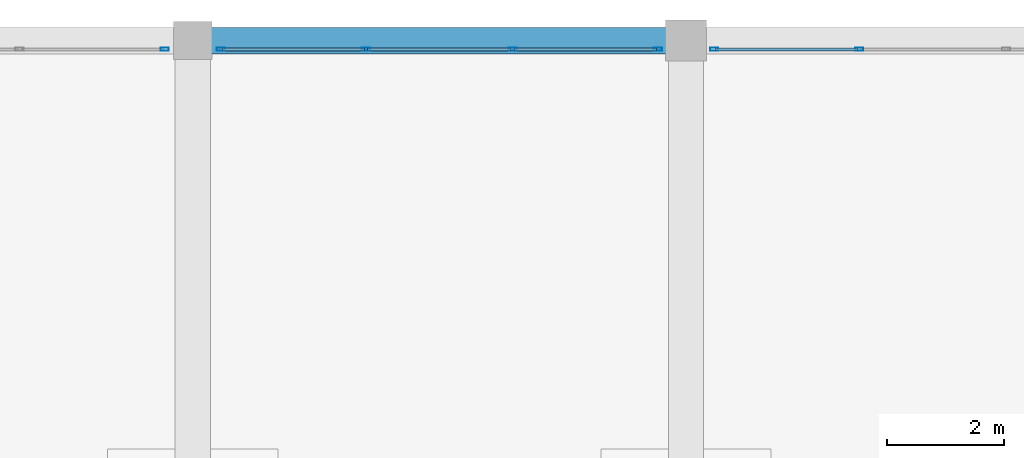
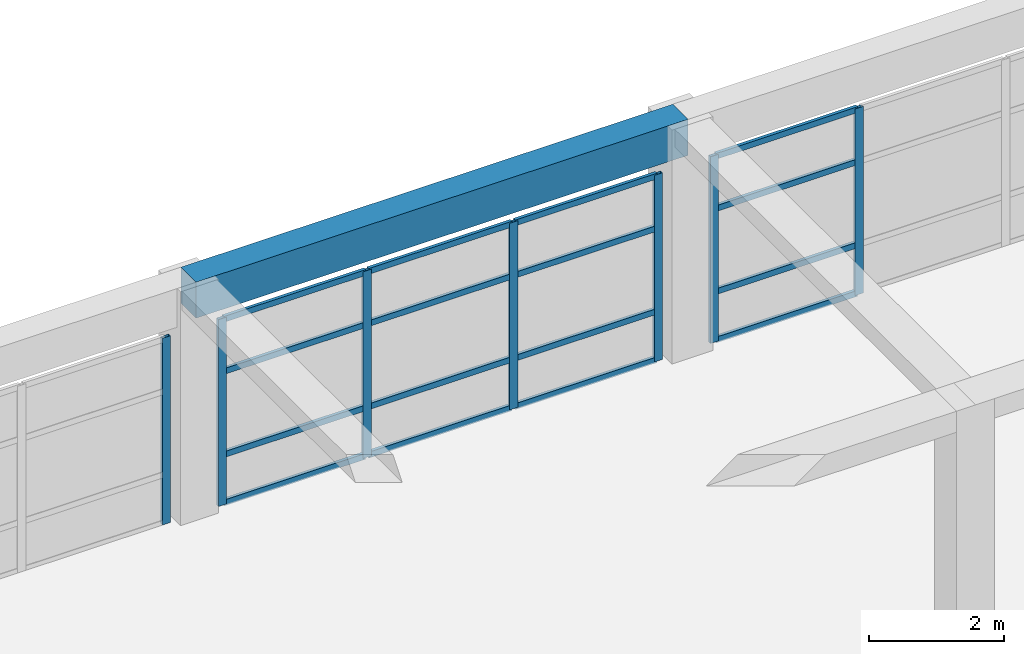
# One storey, part 62 of 85: 23 members, 1 beam, 3 elements without a shape of their own.
"""IFC4 building model written with IfcOpenShell, lengths in metres."""

import ifcopenshell
import ifcopenshell.guid

model = None  # the IFC model being written
_history = None  # IfcOwnerHistory: only IFC2X3 demands one
_inside = {}  # id of a spatial element -> (the spatial element, [elements in it])
_under = {}  # id of a project, library or spatial element -> (it, [spatial elements below it])
_declared = {}  # id of a project -> (the project, [libraries it declares])
_typed = {}  # id of a type object -> (the type object, [elements of that type])
_made_of = {}  # id of a material, layer set ... -> (it, [elements and type objects made of it])


def new_model(schema):
    """Start an empty IFC model of exactly this schema.

    Asked for "IFC4X3", IfcOpenShell would pick the latest addendum, in which some entities
    have other attributes; the version numbers below select the first issue.
    IFC2X3 requires an IfcOwnerHistory on every rooted entity: one is made here for all.
    """
    global model, _history
    if schema == "IFC4X3":
        model = ifcopenshell.file(schema_version=(4, 3, 0, 0))
    else:
        model = ifcopenshell.file(schema=schema)
    _inside.clear()
    _under.clear()
    _declared.clear()
    _typed.clear()
    _made_of.clear()
    _history = None
    if model.schema == "IFC2X3":
        org = make("IfcOrganization", Name="unknown")
        user = make(
            "IfcPersonAndOrganization",
            ThePerson=make("IfcPerson", FamilyName="unknown"),
            TheOrganization=org,
        )
        app = make(
            "IfcApplication",
            ApplicationDeveloper=org,
            Version="unknown",
            ApplicationFullName="unknown",
            ApplicationIdentifier="unknown",
        )
        _history = make(
            "IfcOwnerHistory",
            OwningUser=user,
            OwningApplication=app,
            ChangeAction="ADDED",
            CreationDate=0,
        )
    return model


def make(cls, **values):
    """One entity of the class cls with the attributes given. An attribute that is None is left unset."""
    return model.create_entity(
        cls, **{name: value for name, value in values.items() if value is not None}
    )


def rooted(cls, **values):
    """An entity with a GlobalId (a new one), such as an element, a storey or a relation."""
    return make(cls, GlobalId=ifcopenshell.guid.new(), OwnerHistory=_history, **values)


def si_unit(unit_type, name, prefix=None):
    """IfcSIUnit, for example si_unit("LENGTHUNIT", "METRE", prefix="MILLI")."""
    return make("IfcSIUnit", UnitType=unit_type, Prefix=prefix, Name=name)


def assignment(units):
    """IfcUnitAssignment: the units of a project."""
    return None if units is None else make("IfcUnitAssignment", Units=units)


def point(xyz):
    """IfcCartesianPoint."""
    return None if xyz is None else make("IfcCartesianPoint", Coordinates=xyz)


def direction(xyz):
    """IfcDirection."""
    return None if xyz is None else make("IfcDirection", DirectionRatios=xyz)


def frame(location, z_axis=None, x_axis=None):
    """IfcAxis2Placement3D, a coordinate frame: its origin and axes. An axis left out is left unset."""
    return make(
        "IfcAxis2Placement3D",
        Location=point(location),
        Axis=direction(z_axis),
        RefDirection=direction(x_axis),
    )


def frame_2d(location, x_axis=None):
    """IfcAxis2Placement2D, a coordinate frame in the plane: its origin and x axis."""
    return make(
        "IfcAxis2Placement2D", Location=point(location), RefDirection=direction(x_axis)
    )


def origin():
    """The frame at (0, 0, 0) with its axes left unset."""
    return frame((0.0, 0.0, 0.0))


def origin_2d():
    """The frame at (0, 0) in the plane with its x axis left unset."""
    return frame_2d((0.0, 0.0))


def place(relative_to, where):
    """IfcLocalPlacement: puts the frame where relative to a parent placement (None: the world)."""
    return make(
        "IfcLocalPlacement", PlacementRelTo=relative_to, RelativePlacement=where
    )


def context(
    kind, dimensions, precision=None, world=None, true_north=None, identifier=None
):
    """IfcGeometricRepresentationContext, for example the 3D "Model" context."""
    return make(
        "IfcGeometricRepresentationContext",
        ContextIdentifier=identifier,
        ContextType=kind,
        CoordinateSpaceDimension=dimensions,
        Precision=precision,
        WorldCoordinateSystem=world,
        TrueNorth=true_north,
    )


def subcontext(parent, identifier, kind, view, scale=None):
    """IfcGeometricRepresentationSubContext, for example "Body" below "Model"."""
    return make(
        "IfcGeometricRepresentationSubContext",
        ContextIdentifier=identifier,
        ContextType=kind,
        ParentContext=parent,
        TargetScale=scale,
        TargetView=view,
    )


def project(units=None, contexts=None):
    """IfcProject with its units and contexts."""
    return rooted(
        "IfcProject",
        Name="project",
        RepresentationContexts=contexts,
        UnitsInContext=assignment(units),
    )


def spatial(cls, under=None, at=None, **own):
    """A site, building, storey or space (cls), placed at a placement, below another one or the project."""
    s = rooted(cls, ObjectPlacement=at, **own)
    if under is not None:
        _under.setdefault(under.id(), (under, []))[1].append(s)
    return s


def profile(cls, at=None, kind="AREA", **sizes):
    """A parametric profile (cls). Its sizes go by their IFC names, for example OverallWidth=200.0."""
    return make(cls, ProfileType=kind, Position=at, **sizes)


def rectangle(**sizes):
    """IfcRectangleProfileDef."""
    return profile("IfcRectangleProfileDef", **sizes)


def hollow_rectangle(**sizes):
    """IfcRectangleHollowProfileDef."""
    return profile("IfcRectangleHollowProfileDef", **sizes)


def extrude(swept, where, along, depth):
    """IfcExtrudedAreaSolid: the profile swept, set in the frame where, extruded along a direction by depth."""
    return make(
        "IfcExtrudedAreaSolid",
        SweptArea=swept,
        Position=where,
        ExtrudedDirection=direction(along),
        Depth=depth,
    )


def shape(context_of_items, identifier, shape_type, items):
    """IfcShapeRepresentation: the items that make up one representation, for example the "Body"."""
    return make(
        "IfcShapeRepresentation",
        ContextOfItems=context_of_items,
        RepresentationIdentifier=identifier,
        RepresentationType=shape_type,
        Items=items,
    )


def material(Name=None, Category=None):
    """IfcMaterial."""
    return make("IfcMaterial", Name=Name, Category=Category)


def material_profile(
    of_material, cross_section, Name=None, Category=None, Priority=None
):
    """IfcMaterialProfile: a cross section and its material."""
    return make(
        "IfcMaterialProfile",
        Name=Name,
        Material=of_material,
        Profile=cross_section,
        Priority=Priority,
        Category=Category,
    )


def profile_set(profiles, Name=None, composite=None):
    """IfcMaterialProfileSet."""
    return make(
        "IfcMaterialProfileSet",
        Name=Name,
        MaterialProfiles=profiles,
        CompositeProfile=composite,
    )


def made_of(thing, what):
    """Note that an element or type object is made of a material, layer set ...; save() writes the relation."""
    if what is not None:
        _made_of.setdefault(what.id(), (what, []))[1].append(thing)
    return thing


def type_object(cls, material=None, **own):
    """A type object (cls), such as IfcWallType, which elements share."""
    return made_of(rooted(cls, **own), material)


def element(
    cls,
    number,
    at=None,
    inside=None,
    cuts=None,
    type_object=None,
    material=None,
    context=None,
    identifier="Body",
    shape_type=None,
    held_by="IfcProductDefinitionShape",
    body=None,
    shapes=None,
    **own,
):
    """One element of the class cls, such as IfcWall. Its Tag is "e" and its number.

    at: its placement. inside: the storey or other place that contains it. cuts: it is an
    opening in that element (IfcRelVoidsElement). A single representation is given by context,
    identifier, shape_type and body (its items); several are given by shapes. held_by: the class
    of the entity that holds the representations. save() writes the other relations.
    """
    e = rooted(cls, Tag="e%d" % number, ObjectPlacement=at, **own)
    if body is not None:
        shapes = [shape(context, identifier, shape_type, body)]
    if shapes is not None:
        e.Representation = make(held_by, Representations=shapes)
    if inside is not None:
        _inside.setdefault(inside.id(), (inside, []))[1].append(e)
    if cuts is not None:
        rooted(
            "IfcRelVoidsElement", RelatingBuildingElement=cuts, RelatedOpeningElement=e
        )
    if type_object is not None:
        _typed.setdefault(type_object.id(), (type_object, []))[1].append(e)
    return made_of(e, material)


def aggregate(whole, parts):
    """IfcRelAggregates: a whole, such as a stair, and the parts it consists of."""
    return rooted("IfcRelAggregates", RelatingObject=whole, RelatedObjects=parts)


def save(model, path):
    """Write the relations noted so far, then the file.

    IfcRelAggregates (storeys below a building ...), IfcRelContainedInSpatialStructure (elements
    in a storey), IfcRelDefinesByType, IfcRelAssociatesMaterial and IfcRelDeclares: one each for
    every whole, place, type object, material and project.
    """
    for whole, parts in _under.values():
        aggregate(whole, parts)
    for where, things in _inside.values():
        rooted(
            "IfcRelContainedInSpatialStructure",
            RelatedElements=things,
            RelatingStructure=where,
        )
    for kind, things in _typed.values():
        rooted("IfcRelDefinesByType", RelatedObjects=things, RelatingType=kind)
    for what, things in _made_of.values():
        rooted("IfcRelAssociatesMaterial", RelatedObjects=things, RelatingMaterial=what)
    for by, libraries in _declared.values():
        rooted("IfcRelDeclares", RelatingContext=by, RelatedDefinitions=libraries)
    model.write(path)


model = new_model("IFC4")

# Units and contexts
model_context = context("Model", 3, precision=1e-05, world=origin(), true_north=direction((0.0, 1.0)))
body_context = subcontext(model_context, "Body", "Model", "MODEL_VIEW")
ifc_project = project(units=[si_unit("LENGTHUNIT", "METRE"), si_unit("AREAUNIT", "SQUARE_METRE"), si_unit("VOLUMEUNIT", "CUBIC_METRE"), si_unit("PLANEANGLEUNIT", "RADIAN"), si_unit("MASSUNIT", "GRAM", prefix="KILO")], contexts=[model_context])

# Site, building, storey
site_placement = place(None, origin())
site = spatial("IfcSite", under=ifc_project, at=site_placement, CompositionType="ELEMENT")
building_placement = place(site_placement, origin())
building = spatial("IfcBuilding", under=site, at=building_placement, Name="Almacenes y Pasaje Nevantli", CompositionType="ELEMENT")
storey_placement = place(building_placement, frame((0.0, 0.0, 22.199951171875)))
storey = spatial("IfcBuildingStorey", under=building, at=storey_placement, Name="L05", CompositionType="ELEMENT", Elevation=22.199951171875)

# Beam
ifc_material_1 = material(Name="Concrete C35/45", Category="concrete")
ifc_material_profile_1 = material_profile(ifc_material_1, rectangle(XDim=0.449951171875, YDim=0.64990234375, at=origin_2d()), Name="RC-BM-450x650")
ifc_profile_set_1 = profile_set([ifc_material_profile_1], Name="Concrete C35/45")
beam_type = type_object("IfcBeamType", Name="BM-RC-450x650", PredefinedType="SPANDREL", material=ifc_profile_set_1)
beam_placement = place(storey_placement, frame((142.800048828125, 117.60009765625, 3.89501953125), z_axis=(1.0, 0.0, 0.0), x_axis=(0.0, 1.0, 0.0)))
element("IfcBeam", 1, at=beam_placement, inside=storey, type_object=beam_type, Name="L05 East-West Reinforced Concrete Beam #3419", PredefinedType="SPANDREL", context=body_context, shape_type="SweptSolid", body=[
    extrude(rectangle(XDim=0.449951171875, YDim=0.64990234375, at=origin_2d()), origin(), (0.0, 0.0, 1.0), 8.39990234375),
])

# Curtain wall, member
ifc_material_2 = material(Name="Thermally Broken Aluminium and Low-E Glass", Category="aluminium")
curtain_wall_type = type_object("IfcCurtainWallType", Name="CW-UNIT-PODIUM", PredefinedType="USERDEFINED", material=ifc_material_2)
curtain_wall_1_placement = place(storey_placement, origin())
curtain_wall_1 = element("IfcCurtainWall", 2, at=curtain_wall_1_placement, inside=storey, type_object=curtain_wall_type, Name="L05 Sky-Lobby North Curtain Wall Bay 17", ObjectType="UNITIZED CURTAIN WALL", PredefinedType="USERDEFINED")
ifc_material_3 = material(Name="Thermally Broken Anodized Aluminium", Category="aluminium")
ifc_material_profile_2 = material_profile(ifc_material_3, hollow_rectangle(XDim=0.054931640625, YDim=0.139892578125, WallThickness=0.00341796875, at=origin_2d()), Name="ALU-MUL-55x140")
ifc_profile_set_2 = profile_set([ifc_material_profile_2], Name="Thermally Broken Anodized Aluminium")
member_type_1 = type_object("IfcMemberType", Name="CW-MUL-160", PredefinedType="MULLION", material=ifc_profile_set_2)
member_1_placement = place(storey_placement, frame((142.322509765625, 117.449951171875, 0.0), z_axis=(0.0, 0.0, 1.0), x_axis=(0.0, 1.0, 0.0)))
member_1 = element("IfcMember", 3, at=member_1_placement, type_object=member_type_1, Name="CW-L05-090 mullion 4", PredefinedType="MULLION", context=body_context, shape_type="SweptSolid", body=[
    extrude(hollow_rectangle(XDim=0.054931640625, YDim=0.139892578125, WallThickness=0.00341796875, at=origin_2d()), origin(), (0.0, 0.0, 1.0), 3.3701171875),
])
aggregate(curtain_wall_1, [member_1])

# Curtain wall, members
curtain_wall_2_placement = place(storey_placement, origin())
curtain_wall_2 = element("IfcCurtainWall", 4, at=curtain_wall_2_placement, inside=storey, type_object=curtain_wall_type, Name="L05 Sky-Lobby North Curtain Wall Bay 18", ObjectType="UNITIZED CURTAIN WALL", PredefinedType="USERDEFINED")
member_2_placement = place(storey_placement, frame((143.277587890625, 117.449951171875, 0.0), z_axis=(0.0, 0.0, 1.0), x_axis=(0.0, 1.0, 0.0)))
member_2 = element("IfcMember", 5, at=member_2_placement, type_object=member_type_1, Name="CW-L05-091 mullion 1", PredefinedType="MULLION", context=body_context, shape_type="SweptSolid", body=[
    extrude(hollow_rectangle(XDim=0.054931640625, YDim=0.139892578125, WallThickness=0.00341796875, at=origin_2d()), origin(), (0.0, 0.0, 1.0), 3.3701171875),
])
member_3_placement = place(storey_placement, frame((145.75, 117.449951171875, 0.0), z_axis=(0.0, 0.0, 1.0), x_axis=(0.0, 1.0, 0.0)))
member_3 = element("IfcMember", 6, at=member_3_placement, type_object=member_type_1, Name="CW-L05-091 mullion 2", PredefinedType="MULLION", context=body_context, shape_type="SweptSolid", body=[
    extrude(hollow_rectangle(XDim=0.054931640625, YDim=0.139892578125, WallThickness=0.00341796875, at=origin_2d()), origin(), (0.0, 0.0, 1.0), 3.3701171875),
])
member_4_placement = place(storey_placement, frame((148.25, 117.449951171875, 0.0), z_axis=(0.0, 0.0, 1.0), x_axis=(0.0, 1.0, 0.0)))
member_4 = element("IfcMember", 7, at=member_4_placement, type_object=member_type_1, Name="CW-L05-091 mullion 3", PredefinedType="MULLION", context=body_context, shape_type="SweptSolid", body=[
    extrude(hollow_rectangle(XDim=0.054931640625, YDim=0.139892578125, WallThickness=0.00341796875, at=origin_2d()), origin(), (0.0, 0.0, 1.0), 3.3701171875),
])
member_5_placement = place(storey_placement, frame((150.722412109375, 117.449951171875, 0.0), z_axis=(0.0, 0.0, 1.0), x_axis=(0.0, 1.0, 0.0)))
member_5 = element("IfcMember", 8, at=member_5_placement, type_object=member_type_1, Name="CW-L05-091 mullion 4", PredefinedType="MULLION", context=body_context, shape_type="SweptSolid", body=[
    extrude(hollow_rectangle(XDim=0.054931640625, YDim=0.139892578125, WallThickness=0.00341796875, at=origin_2d()), origin(), (0.0, 0.0, 1.0), 3.3701171875),
])

curtain_wall_3_placement = place(storey_placement, origin())
curtain_wall_3 = element("IfcCurtainWall", 9, at=curtain_wall_3_placement, inside=storey, type_object=curtain_wall_type, Name="L05 Sky-Lobby North Curtain Wall Bay 19", ObjectType="UNITIZED CURTAIN WALL", PredefinedType="USERDEFINED")
member_6_placement = place(storey_placement, frame((151.677490234375, 117.449951171875, 0.0), z_axis=(0.0, 0.0, 1.0), x_axis=(0.0, 1.0, 0.0)))
member_6 = element("IfcMember", 10, at=member_6_placement, type_object=member_type_1, Name="CW-L05-092 mullion 1", PredefinedType="MULLION", context=body_context, shape_type="SweptSolid", body=[
    extrude(hollow_rectangle(XDim=0.054931640625, YDim=0.139892578125, WallThickness=0.00341796875, at=origin_2d()), origin(), (0.0, 0.0, 1.0), 3.3701171875),
])
member_7_placement = place(storey_placement, frame((154.14990234375, 117.449951171875, 0.0), z_axis=(0.0, 0.0, 1.0), x_axis=(0.0, 1.0, 0.0)))
member_7 = element("IfcMember", 11, at=member_7_placement, type_object=member_type_1, Name="CW-L05-092 mullion 2", PredefinedType="MULLION", context=body_context, shape_type="SweptSolid", body=[
    extrude(hollow_rectangle(XDim=0.054931640625, YDim=0.139892578125, WallThickness=0.00341796875, at=origin_2d()), origin(), (0.0, 0.0, 1.0), 3.3701171875),
])

# Member
ifc_material_4 = material(Name="Thermally Broken Anodized Aluminium", Category="aluminium")
ifc_material_profile_3 = material_profile(ifc_material_4, hollow_rectangle(XDim=0.054931640625, YDim=0.10498046875, WallThickness=0.003173828125, at=origin_2d()), Name="ALU-TRN-55x105")
ifc_profile_set_3 = profile_set([ifc_material_profile_3], Name="Thermally Broken Anodized Aluminium")
member_type_2 = type_object("IfcMemberType", Name="CW-TRN-120", PredefinedType="USERDEFINED", material=ifc_profile_set_3)
member_8_placement = place(storey_placement, frame((143.304931640625, 117.449951171875, 0.027587890625), z_axis=(1.0, 0.0, 0.0), x_axis=(0.0, 1.0, 0.0)))
member_8 = element("IfcMember", 12, at=member_8_placement, type_object=member_type_2, Name="CW-L05-091 transom 1.1", ObjectType="TRANSOM", PredefinedType="USERDEFINED", context=body_context, shape_type="SweptSolid", body=[
    extrude(hollow_rectangle(XDim=0.054931640625, YDim=0.10498046875, WallThickness=0.003173828125, at=origin_2d()), origin(), (0.0, 0.0, 1.0), 2.41748046875),
])

member_9_placement = place(storey_placement, frame((143.304931640625, 117.449951171875, 0.900146484375), z_axis=(1.0, 0.0, 0.0), x_axis=(0.0, 1.0, 0.0)))
member_9 = element("IfcMember", 13, at=member_9_placement, type_object=member_type_2, Name="CW-L05-091 transom 1.2", ObjectType="TRANSOM", PredefinedType="USERDEFINED", context=body_context, shape_type="SweptSolid", body=[
    extrude(hollow_rectangle(XDim=0.054931640625, YDim=0.10498046875, WallThickness=0.003173828125, at=origin_2d()), origin(), (0.0, 0.0, 1.0), 2.41748046875),
])

member_10_placement = place(storey_placement, frame((143.304931640625, 117.449951171875, 2.400146484375), z_axis=(1.0, 0.0, 0.0), x_axis=(0.0, 1.0, 0.0)))
member_10 = element("IfcMember", 14, at=member_10_placement, type_object=member_type_2, Name="CW-L05-091 transom 1.3", ObjectType="TRANSOM", PredefinedType="USERDEFINED", context=body_context, shape_type="SweptSolid", body=[
    extrude(hollow_rectangle(XDim=0.054931640625, YDim=0.10498046875, WallThickness=0.003173828125, at=origin_2d()), origin(), (0.0, 0.0, 1.0), 2.41748046875),
])

member_11_placement = place(storey_placement, frame((143.304931640625, 117.449951171875, 3.342529296875), z_axis=(1.0, 0.0, 0.0), x_axis=(0.0, 1.0, 0.0)))
member_11 = element("IfcMember", 15, at=member_11_placement, type_object=member_type_2, Name="CW-L05-091 transom 1.4", ObjectType="TRANSOM", PredefinedType="USERDEFINED", context=body_context, shape_type="SweptSolid", body=[
    extrude(hollow_rectangle(XDim=0.054931640625, YDim=0.10498046875, WallThickness=0.003173828125, at=origin_2d()), origin(), (0.0, 0.0, 1.0), 2.41748046875),
])

member_12_placement = place(storey_placement, frame((145.777587890625, 117.449951171875, 0.027587890625), z_axis=(1.0, 0.0, 0.0), x_axis=(0.0, 1.0, 0.0)))
member_12 = element("IfcMember", 16, at=member_12_placement, type_object=member_type_2, Name="CW-L05-091 transom 2.1", ObjectType="TRANSOM", PredefinedType="USERDEFINED", context=body_context, shape_type="SweptSolid", body=[
    extrude(hollow_rectangle(XDim=0.054931640625, YDim=0.10498046875, WallThickness=0.003173828125, at=origin_2d()), origin(), (0.0, 0.0, 1.0), 2.44482421875),
])

member_13_placement = place(storey_placement, frame((145.777587890625, 117.449951171875, 0.900146484375), z_axis=(1.0, 0.0, 0.0), x_axis=(0.0, 1.0, 0.0)))
member_13 = element("IfcMember", 17, at=member_13_placement, type_object=member_type_2, Name="CW-L05-091 transom 2.2", ObjectType="TRANSOM", PredefinedType="USERDEFINED", context=body_context, shape_type="SweptSolid", body=[
    extrude(hollow_rectangle(XDim=0.054931640625, YDim=0.10498046875, WallThickness=0.003173828125, at=origin_2d()), origin(), (0.0, 0.0, 1.0), 2.44482421875),
])

member_14_placement = place(storey_placement, frame((145.777587890625, 117.449951171875, 2.400146484375), z_axis=(1.0, 0.0, 0.0), x_axis=(0.0, 1.0, 0.0)))
member_14 = element("IfcMember", 18, at=member_14_placement, type_object=member_type_2, Name="CW-L05-091 transom 2.3", ObjectType="TRANSOM", PredefinedType="USERDEFINED", context=body_context, shape_type="SweptSolid", body=[
    extrude(hollow_rectangle(XDim=0.054931640625, YDim=0.10498046875, WallThickness=0.003173828125, at=origin_2d()), origin(), (0.0, 0.0, 1.0), 2.44482421875),
])

member_15_placement = place(storey_placement, frame((145.777587890625, 117.449951171875, 3.342529296875), z_axis=(1.0, 0.0, 0.0), x_axis=(0.0, 1.0, 0.0)))
member_15 = element("IfcMember", 19, at=member_15_placement, type_object=member_type_2, Name="CW-L05-091 transom 2.4", ObjectType="TRANSOM", PredefinedType="USERDEFINED", context=body_context, shape_type="SweptSolid", body=[
    extrude(hollow_rectangle(XDim=0.054931640625, YDim=0.10498046875, WallThickness=0.003173828125, at=origin_2d()), origin(), (0.0, 0.0, 1.0), 2.44482421875),
])

member_16_placement = place(storey_placement, frame((148.277587890625, 117.449951171875, 0.027587890625), z_axis=(1.0, 0.0, 0.0), x_axis=(0.0, 1.0, 0.0)))
member_16 = element("IfcMember", 20, at=member_16_placement, type_object=member_type_2, Name="CW-L05-091 transom 3.1", ObjectType="TRANSOM", PredefinedType="USERDEFINED", context=body_context, shape_type="SweptSolid", body=[
    extrude(hollow_rectangle(XDim=0.054931640625, YDim=0.10498046875, WallThickness=0.003173828125, at=origin_2d()), origin(), (0.0, 0.0, 1.0), 2.41748046875),
])

member_17_placement = place(storey_placement, frame((148.277587890625, 117.449951171875, 0.900146484375), z_axis=(1.0, 0.0, 0.0), x_axis=(0.0, 1.0, 0.0)))
member_17 = element("IfcMember", 21, at=member_17_placement, type_object=member_type_2, Name="CW-L05-091 transom 3.2", ObjectType="TRANSOM", PredefinedType="USERDEFINED", context=body_context, shape_type="SweptSolid", body=[
    extrude(hollow_rectangle(XDim=0.054931640625, YDim=0.10498046875, WallThickness=0.003173828125, at=origin_2d()), origin(), (0.0, 0.0, 1.0), 2.41748046875),
])

member_18_placement = place(storey_placement, frame((148.277587890625, 117.449951171875, 2.400146484375), z_axis=(1.0, 0.0, 0.0), x_axis=(0.0, 1.0, 0.0)))
member_18 = element("IfcMember", 22, at=member_18_placement, type_object=member_type_2, Name="CW-L05-091 transom 3.3", ObjectType="TRANSOM", PredefinedType="USERDEFINED", context=body_context, shape_type="SweptSolid", body=[
    extrude(hollow_rectangle(XDim=0.054931640625, YDim=0.10498046875, WallThickness=0.003173828125, at=origin_2d()), origin(), (0.0, 0.0, 1.0), 2.41748046875),
])

member_19_placement = place(storey_placement, frame((148.277587890625, 117.449951171875, 3.342529296875), z_axis=(1.0, 0.0, 0.0), x_axis=(0.0, 1.0, 0.0)))
member_19 = element("IfcMember", 23, at=member_19_placement, type_object=member_type_2, Name="CW-L05-091 transom 3.4", ObjectType="TRANSOM", PredefinedType="USERDEFINED", context=body_context, shape_type="SweptSolid", body=[
    extrude(hollow_rectangle(XDim=0.054931640625, YDim=0.10498046875, WallThickness=0.003173828125, at=origin_2d()), origin(), (0.0, 0.0, 1.0), 2.41748046875),
])

aggregate(curtain_wall_2, [member_2, member_3, member_4, member_5, member_8, member_9, member_10, member_11, member_12, member_13, member_14, member_15, member_16, member_17, member_18, member_19])

member_20_placement = place(storey_placement, frame((151.705078125, 117.449951171875, 0.027587890625), z_axis=(1.0, 0.0, 0.0), x_axis=(0.0, 1.0, 0.0)))
member_20 = element("IfcMember", 24, at=member_20_placement, type_object=member_type_2, Name="CW-L05-092 transom 1.1", ObjectType="TRANSOM", PredefinedType="USERDEFINED", context=body_context, shape_type="SweptSolid", body=[
    extrude(hollow_rectangle(XDim=0.054931640625, YDim=0.10498046875, WallThickness=0.003173828125, at=origin_2d()), origin(), (0.0, 0.0, 1.0), 2.41748046875),
])

member_21_placement = place(storey_placement, frame((151.705078125, 117.449951171875, 0.900146484375), z_axis=(1.0, 0.0, 0.0), x_axis=(0.0, 1.0, 0.0)))
member_21 = element("IfcMember", 25, at=member_21_placement, type_object=member_type_2, Name="CW-L05-092 transom 1.2", ObjectType="TRANSOM", PredefinedType="USERDEFINED", context=body_context, shape_type="SweptSolid", body=[
    extrude(hollow_rectangle(XDim=0.054931640625, YDim=0.10498046875, WallThickness=0.003173828125, at=origin_2d()), origin(), (0.0, 0.0, 1.0), 2.41748046875),
])

member_22_placement = place(storey_placement, frame((151.705078125, 117.449951171875, 2.400146484375), z_axis=(1.0, 0.0, 0.0), x_axis=(0.0, 1.0, 0.0)))
member_22 = element("IfcMember", 26, at=member_22_placement, type_object=member_type_2, Name="CW-L05-092 transom 1.3", ObjectType="TRANSOM", PredefinedType="USERDEFINED", context=body_context, shape_type="SweptSolid", body=[
    extrude(hollow_rectangle(XDim=0.054931640625, YDim=0.10498046875, WallThickness=0.003173828125, at=origin_2d()), origin(), (0.0, 0.0, 1.0), 2.41748046875),
])

member_23_placement = place(storey_placement, frame((151.705078125, 117.449951171875, 3.342529296875), z_axis=(1.0, 0.0, 0.0), x_axis=(0.0, 1.0, 0.0)))
member_23 = element("IfcMember", 27, at=member_23_placement, type_object=member_type_2, Name="CW-L05-092 transom 1.4", ObjectType="TRANSOM", PredefinedType="USERDEFINED", context=body_context, shape_type="SweptSolid", body=[
    extrude(hollow_rectangle(XDim=0.054931640625, YDim=0.10498046875, WallThickness=0.003173828125, at=origin_2d()), origin(), (0.0, 0.0, 1.0), 2.41748046875),
])

aggregate(curtain_wall_3, [member_6, member_7, member_20, member_21, member_22, member_23])

save(model, "model.ifc")
